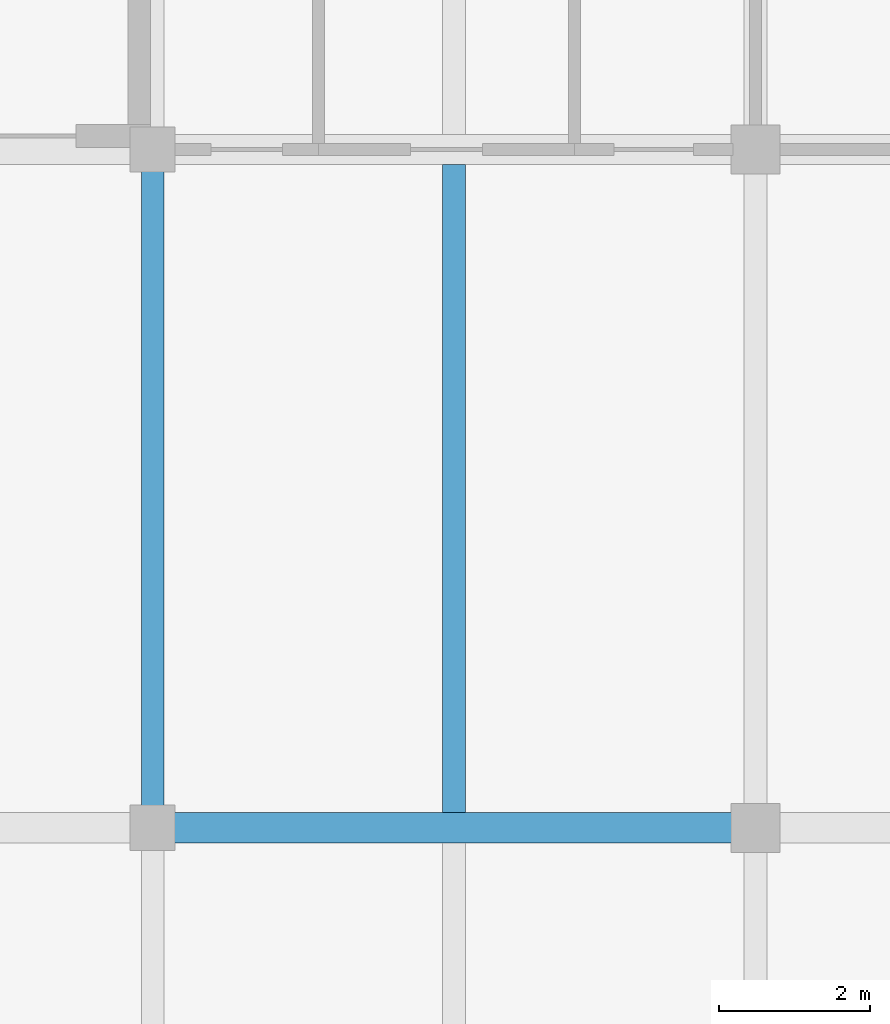
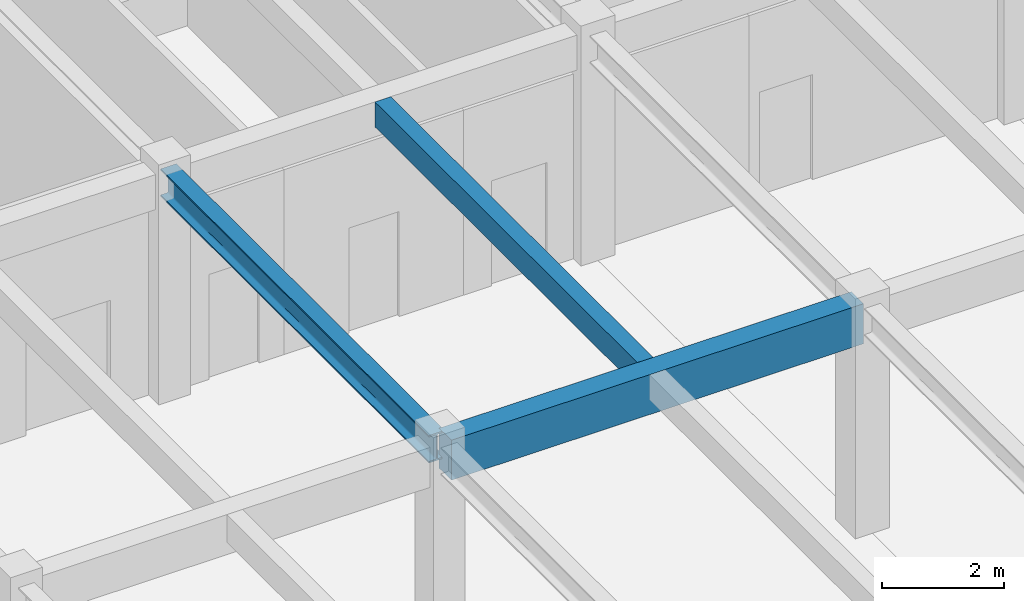
# One storey, part 70 of 144: 3 beams.
"""IFC4 building model written with IfcOpenShell, lengths in metres."""

from ifc_helpers import new_model, si_unit, direction, frame, origin, origin_2d, place, context, subcontext, project, spatial, rectangle, i_section, extrude, material, material_profile, profile_set, type_object, element, save


model = new_model("IFC4")

# Units and contexts
model_context = context("Model", 3, precision=1e-05, world=origin(), true_north=direction((0.0, 1.0)))
body_context = subcontext(model_context, "Body", "Model", "MODEL_VIEW")
ifc_project = project(units=[si_unit("LENGTHUNIT", "METRE"), si_unit("AREAUNIT", "SQUARE_METRE"), si_unit("VOLUMEUNIT", "CUBIC_METRE"), si_unit("PLANEANGLEUNIT", "RADIAN"), si_unit("MASSUNIT", "GRAM", prefix="KILO")], contexts=[model_context])

# Site, building, storey
site_placement = place(None, origin())
site = spatial("IfcSite", under=ifc_project, at=site_placement, CompositionType="ELEMENT")
building_placement = place(site_placement, origin())
building = spatial("IfcBuilding", under=site, at=building_placement, Name="Varnabhumi Central Station", CompositionType="ELEMENT")
storey_placement = place(building_placement, frame((0.0, 0.0, 4.800048828125)))
storey = spatial("IfcBuildingStorey", under=building, at=storey_placement, Name="L01", CompositionType="ELEMENT", Elevation=4.800048828125)

# Beams
ifc_material_1 = material(Name="Concrete M40", Category="concrete")
ifc_material_profile_1 = material_profile(ifc_material_1, rectangle(XDim=0.300048828125, YDim=0.5, at=origin_2d()), Name="Concrete M40", Category="concrete")
ifc_profile_set_1 = profile_set([ifc_material_profile_1], Name="Concrete M40")
beam_type_1 = type_object("IfcBeamType", Name="BM-RC-300x500", PredefinedType="JOIST", material=ifc_profile_set_1)
beam_1_placement = place(storey_placement, frame((92.0, 98.199951171875, 4.300048828125), z_axis=(0.0, 1.0, 0.0), x_axis=(-1.0, 0.0, 0.0)))
element("IfcBeam", 1, at=beam_1_placement, inside=storey, type_object=beam_type_1, Name="Secondary Joist L01-12/13:M-N", PredefinedType="JOIST", context=body_context, shape_type="SweptSolid", body=[
    extrude(rectangle(XDim=0.300048828125, YDim=0.5, at=origin_2d()), origin(), (0.0, 0.0, 1.0), 8.60009765625),
])
ifc_material_profile_2 = material_profile(ifc_material_1, rectangle(XDim=0.39990234375, YDim=0.800048828125, at=origin_2d()), Name="Concrete M40", Category="concrete")
ifc_profile_set_2 = profile_set([ifc_material_profile_2], Name="Concrete M40")
beam_type_2 = type_object("IfcBeamType", Name="BM-RC-400x800", PredefinedType="BEAM", material=ifc_profile_set_2)
beam_2_placement = place(storey_placement, frame((88.10009765625, 98.0, 4.14990234375), z_axis=(1.0, 0.0, 0.0), x_axis=(0.0, 1.0, 0.0)))
element("IfcBeam", 2, at=beam_2_placement, inside=storey, type_object=beam_type_2, Name="Beam L01-M:12-13", PredefinedType="BEAM", context=body_context, shape_type="SweptSolid", body=[
    extrude(rectangle(XDim=0.39990234375, YDim=0.800048828125, at=origin_2d()), origin(), (0.0, 0.0, 1.0), 7.7998046875),
])
ifc_material_2 = material(Name="Structural steel E350", Category="steel")
ifc_material_profile_3 = material_profile(ifc_material_2, i_section(OverallWidth=0.300048828125, OverallDepth=0.550048828125, WebThickness=0.014892578125, FlangeThickness=0.029052734375, FilletRadius=0.027099609375, at=origin_2d()), Name="Structural steel E350", Category="steel")
ifc_profile_set_3 = profile_set([ifc_material_profile_3], Name="Structural steel E350")
beam_type_3 = type_object("IfcBeamType", Name="BM-STL-WPB550", PredefinedType="BEAM", material=ifc_profile_set_3)
beam_3_placement = place(storey_placement, frame((88.0, 98.10009765625, 4.27490234375), z_axis=(0.0, 1.0, 0.0), x_axis=(-1.0, 0.0, 0.0)))
element("IfcBeam", 3, at=beam_3_placement, inside=storey, type_object=beam_type_3, Name="Beam L01-12:M-N", PredefinedType="BEAM", context=body_context, shape_type="SweptSolid", body=[
    extrude(i_section(OverallWidth=0.300048828125, OverallDepth=0.550048828125, WebThickness=0.014892578125, FlangeThickness=0.029052734375, FilletRadius=0.027099609375, at=origin_2d()), origin(), (0.0, 0.0, 1.0), 8.7998046875),
])

save(model, "model.ifc")
